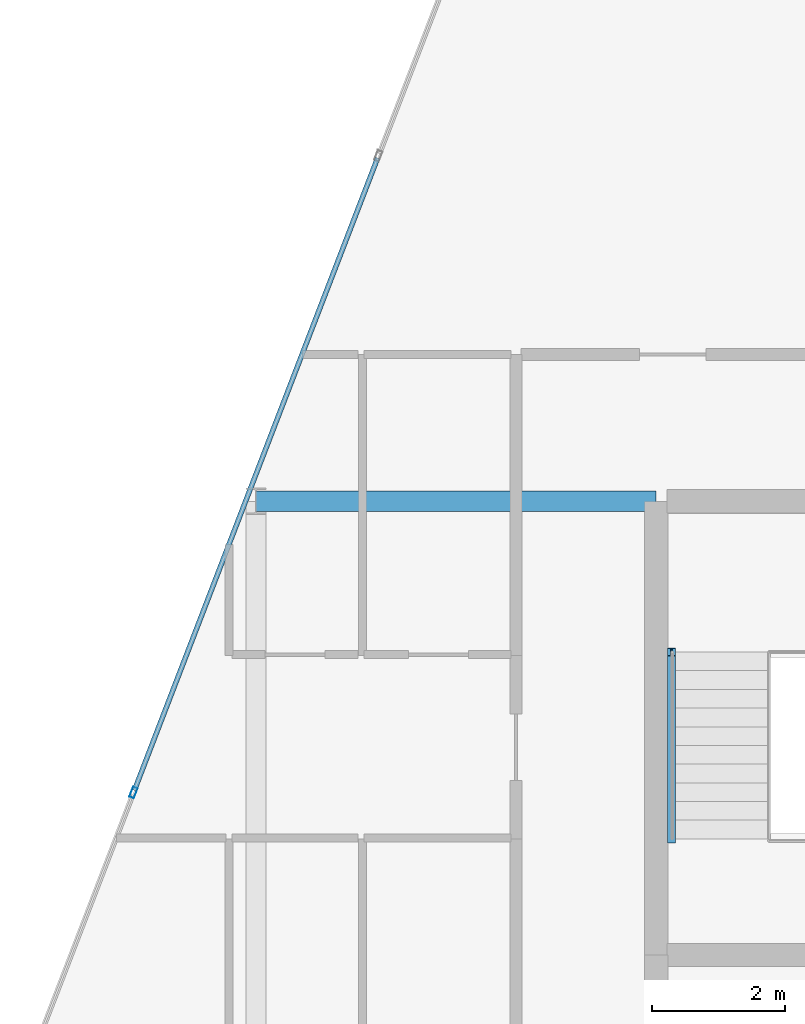
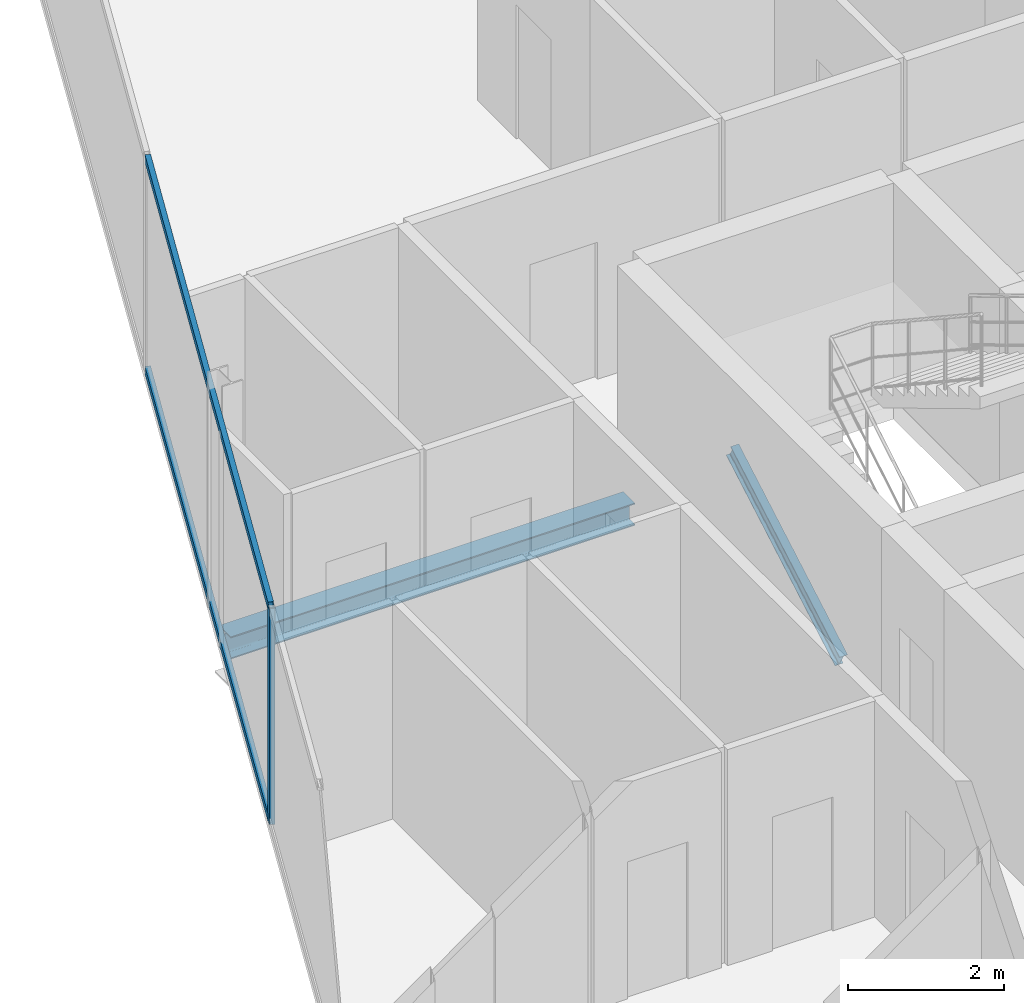
# One storey, part 10 of 27: 4 members, 1 beam, 1 element without a shape of its own.
"""IFC4 building model written with IfcOpenShell, lengths in metres."""

from ifc_helpers import new_model, si_unit, direction, frame, origin, origin_2d, place, context, subcontext, project, spatial, hollow_rectangle, i_section, extrude, material, layer, layer_set, material_profile, profile_set, type_object, element, aggregate, save


model = new_model("IFC4")

# Units and contexts
model_context = context("Model", 3, precision=1e-05, world=origin(), true_north=direction((0.0, 1.0)))
body_context = subcontext(model_context, "Body", "Model", "MODEL_VIEW")
ifc_project = project(units=[si_unit("LENGTHUNIT", "METRE"), si_unit("AREAUNIT", "SQUARE_METRE"), si_unit("VOLUMEUNIT", "CUBIC_METRE"), si_unit("PLANEANGLEUNIT", "RADIAN"), si_unit("MASSUNIT", "GRAM", prefix="KILO")], contexts=[model_context])

# Site, building, storey
site_placement = place(None, origin())
site = spatial("IfcSite", under=ifc_project, at=site_placement, CompositionType="ELEMENT")
building_placement = place(site_placement, origin())
building = spatial("IfcBuilding", under=site, at=building_placement, Name="Keshet Zoharim Tower", CompositionType="ELEMENT")
storey_placement = place(building_placement, frame((0.0, 0.0, 291.699951171875)))
storey = spatial("IfcBuildingStorey", under=building, at=storey_placement, Name="L73", CompositionType="ELEMENT", Elevation=291.699951171875)

# Beam
ifc_material_1 = material(Name="Steel S355", Category="steel")
ifc_material_profile_1 = material_profile(ifc_material_1, i_section(OverallWidth=0.300048828125, OverallDepth=0.35009765625, WebThickness=0.010009765625, FlangeThickness=0.017578125, FilletRadius=0.027099609375, at=origin_2d()), Name="HEA360")
ifc_profile_set_1 = profile_set([ifc_material_profile_1], Name="Steel S355")
beam_type = type_object("IfcBeamType", Name="BM-PRI-HA360", PredefinedType="BEAM", material=ifc_profile_set_1)
beam_placement = place(storey_placement, frame((9.0, 37.89990234375, -0.48486328125), z_axis=(1.0, 0.0, 0.0), x_axis=(0.0, 1.0, 0.0)))
element("IfcBeam", 1, at=beam_placement, inside=storey, type_object=beam_type, Name="L73 Primary Girder X-008", PredefinedType="BEAM", context=body_context, shape_type="SweptSolid", body=[
    extrude(i_section(OverallWidth=0.300048828125, OverallDepth=0.35009765625, WebThickness=0.010009765625, FlangeThickness=0.017578125, FilletRadius=0.027099609375, at=origin_2d()), origin(), (0.0, 0.0, 1.0), 6.0),
])

# Curtain wall, members
ifc_material_2 = material(Name="Aluminium 6063-T6", Category="aluminium")
ifc_layer = layer(ifc_material_2, 0.260009765625)
ifc_layer_set = layer_set([ifc_layer], Name="Aluminium 6063-T6")
curtain_wall_type = type_object("IfcCurtainWallType", Name="CW-SYS-06", PredefinedType="NOTDEFINED", material=ifc_layer_set)
curtain_wall_placement = place(storey_placement, origin())
curtain_wall = element("IfcCurtainWall", 2, at=curtain_wall_placement, inside=storey, type_object=curtain_wall_type, Name="L73 Unitised Curtain Wall 03", PredefinedType="NOTDEFINED")
ifc_material_profile_2 = material_profile(ifc_material_2, hollow_rectangle(XDim=0.074951171875, YDim=0.159912109375, WallThickness=0.00390625, at=origin_2d()), Name="MUL-75x160")
ifc_profile_set_2 = profile_set([ifc_material_profile_2], Name="Aluminium 6063-T6")
member_type_1 = type_object("IfcMemberType", Name="CWM-M15", PredefinedType="MULLION", material=ifc_profile_set_2)
member_1_placement = place(storey_placement, frame((7.1669921875, 33.53466796875, 0.0), z_axis=(0.0, 0.0, 1.0), x_axis=(-0.933341404361, 0.358990003907, 0.0)))
member_1 = element("IfcMember", 3, at=member_1_placement, type_object=member_type_1, Name="CW-06 mullion 2", PredefinedType="MULLION", context=body_context, shape_type="SweptSolid", body=[
    extrude(hollow_rectangle(XDim=0.074951171875, YDim=0.159912109375, WallThickness=0.00390625, at=origin_2d()), origin(), (0.0, 0.0, 1.0), 3.39013671875),
])
ifc_material_profile_3 = material_profile(ifc_material_2, hollow_rectangle(XDim=0.074951171875, YDim=0.1201171875, WallThickness=0.00390625, at=origin_2d()), Name="TRN-75x120")
ifc_profile_set_3 = profile_set([ifc_material_profile_3], Name="Aluminium 6063-T6")
member_type_2 = type_object("IfcMemberType", Name="CWT-T12", PredefinedType="USERDEFINED", material=ifc_profile_set_3)
member_2_placement = place(storey_placement, frame((7.179443359375, 33.5673828125, 0.03515625), z_axis=(0.359003248899, 0.933336309848, 0.0), x_axis=(-0.933336309848, 0.359003248899, 0.0)))
member_2 = element("IfcMember", 4, at=member_2_placement, type_object=member_type_2, Name="CW-06 transom 2.1", ObjectType="TRANSOM", PredefinedType="USERDEFINED", context=body_context, shape_type="SweptSolid", body=[
    extrude(hollow_rectangle(XDim=0.074951171875, YDim=0.1201171875, WallThickness=0.00390625, at=origin_2d()), origin(), (0.0, 0.0, 1.0), 10.153076171875),
])
member_3_placement = place(storey_placement, frame((7.179443359375, 33.5673828125, 3.35498046875), z_axis=(0.359003248899, 0.933336309848, 0.0), x_axis=(-0.933336309848, 0.359003248899, 0.0)))
member_3 = element("IfcMember", 5, at=member_3_placement, type_object=member_type_2, Name="CW-06 transom 2.2", ObjectType="TRANSOM", PredefinedType="USERDEFINED", context=body_context, shape_type="SweptSolid", body=[
    extrude(hollow_rectangle(XDim=0.074951171875, YDim=0.1201171875, WallThickness=0.00390625, at=origin_2d()), origin(), (0.0, 0.0, 1.0), 10.153076171875),
])
aggregate(curtain_wall, [member_1, member_2, member_3])

# Member
ifc_material_profile_4 = material_profile(ifc_material_1, i_section(OverallWidth=0.1201171875, OverallDepth=0.239990234375, WebThickness=0.006103515625, FlangeThickness=0.009765625, FilletRadius=0.014892578125, at=origin_2d()), Name="IPE240")
ifc_profile_set_4 = profile_set([ifc_material_profile_4], Name="Steel S355")
member_type_3 = type_object("IfcMemberType", Name="MB-STRG-IP240", PredefinedType="STRINGER", material=ifc_profile_set_4)
member_4_placement = place(storey_placement, frame((15.22998046875, 32.840087890625, 0.1201171875), z_axis=(0.0, 0.866909569656, 0.498465443174), x_axis=(-1.0, 0.0, 0.0)))
element("IfcMember", 6, at=member_4_placement, inside=storey, type_object=member_type_3, Name="L73 ST-02 Flight Steel Stringer", PredefinedType="STRINGER", context=body_context, shape_type="SweptSolid", body=[
    extrude(i_section(OverallWidth=0.1201171875, OverallDepth=0.239990234375, WebThickness=0.006103515625, FlangeThickness=0.009765625, FilletRadius=0.014892578125, at=origin_2d()), origin(), (0.0, 0.0, 1.0), 3.229736328125),
])

save(model, "model.ifc")
